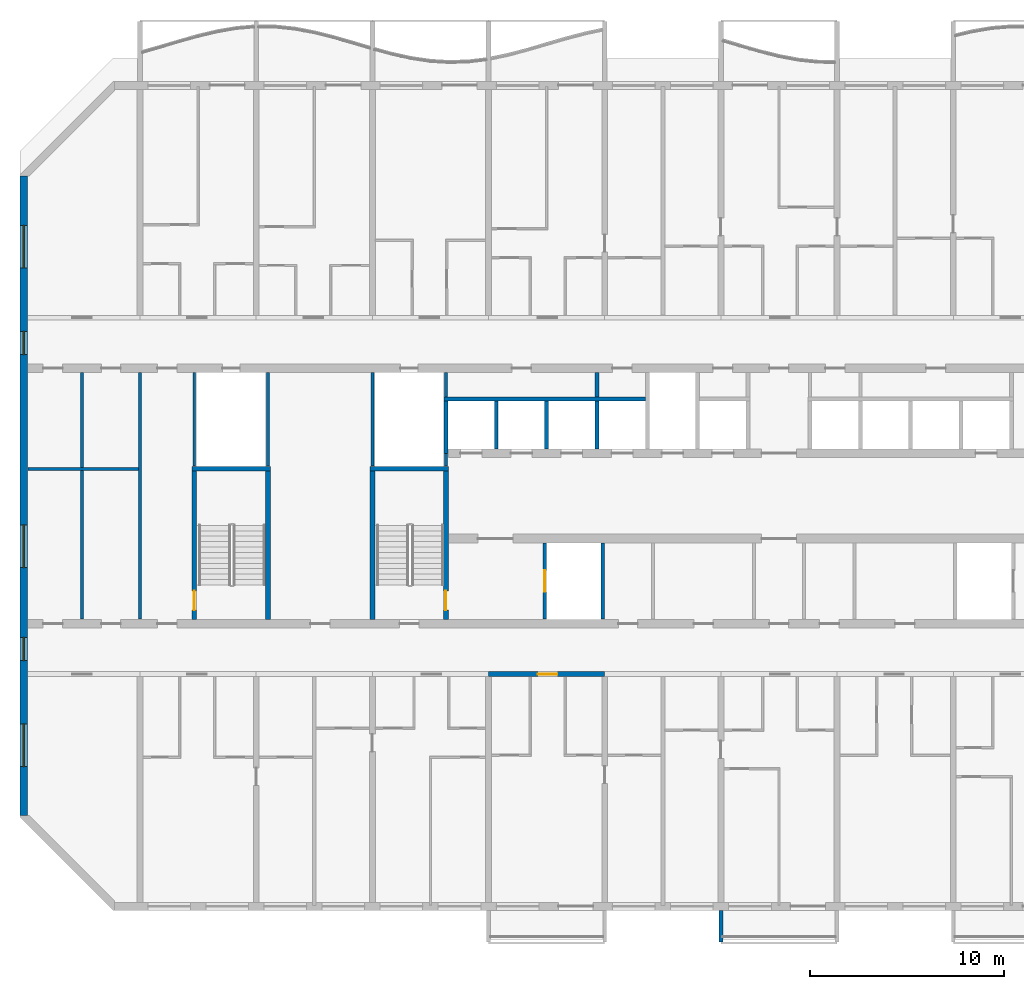
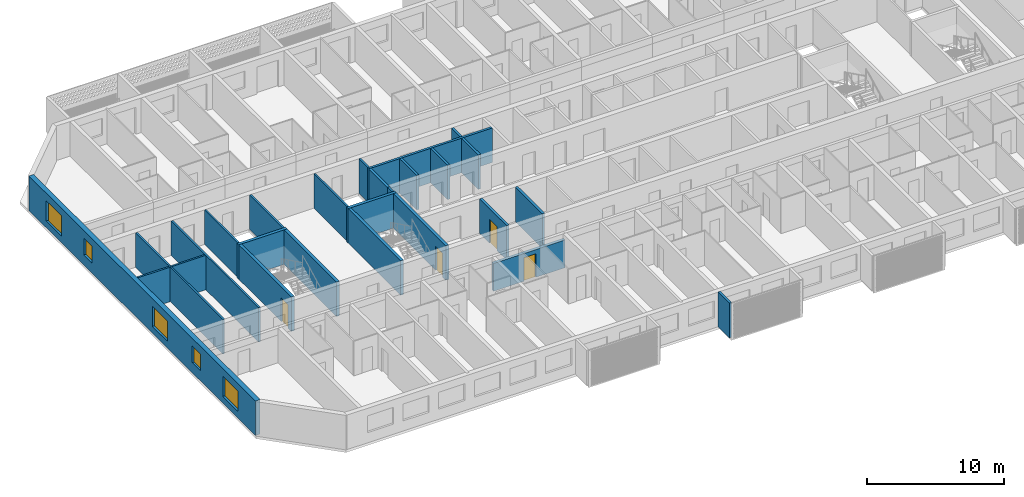
# One storey, part 3 of 32: 25 walls, 5 windows, 4 doors, 9 openings.
"""IFC4 building model written with IfcOpenShell, lengths in metres."""

from ifc_helpers import new_model, si_unit, direction, frame, frame_2d, origin, place, context, subcontext, project, spatial, polyline, rectangle, outline, extrude, source, transform, mapped, material, layer, layer_set, type_object, element, fill, save


model = new_model("IFC4")

# Units and contexts
model_context = context("Model", 3, precision=1e-05, world=origin(), true_north=direction((0.0, 1.0)))
body_context = subcontext(model_context, "Body", "Model", "MODEL_VIEW")
ifc_project = project(units=[si_unit("LENGTHUNIT", "METRE"), si_unit("AREAUNIT", "SQUARE_METRE"), si_unit("VOLUMEUNIT", "CUBIC_METRE"), si_unit("PLANEANGLEUNIT", "RADIAN"), si_unit("MASSUNIT", "GRAM", prefix="KILO")], contexts=[model_context])

# Site, building, storey
site_placement = place(None, origin())
site = spatial("IfcSite", under=ifc_project, at=site_placement, CompositionType="ELEMENT")
building_placement = place(site_placement, origin())
building = spatial("IfcBuilding", under=site, at=building_placement, Name="Poui Terraces", CompositionType="ELEMENT")
storey_placement = place(building_placement, frame((0.0, 0.0, 122.39990234375)))
storey = spatial("IfcBuildingStorey", under=building, at=storey_placement, Name="L33", CompositionType="ELEMENT", Elevation=122.39990234375)

# Wall
ifc_material_1 = material(Name="Fire-rated plasterboard wall")
ifc_layer_1 = layer(ifc_material_1, 0.14990234375)
ifc_layer_set_1 = layer_set([ifc_layer_1], Name="Fire-rated plasterboard wall")
wall_type_1 = type_object("IfcWallType", Name="CORRIDOR WALL 150", PredefinedType="PARTITIONING", material=ifc_layer_set_1)
wall_1_placement = place(storey_placement, frame((18.0, 14.8349609375, 0.0), z_axis=(0.0, 0.0, 1.0), x_axis=(0.0, 1.0, 0.0)))
element("IfcWall", 1, at=wall_1_placement, inside=storey, type_object=wall_type_1, Name="CORRIDOR WALL 150", PredefinedType="PARTITIONING", context=body_context, shape_type="SweptSolid", body=[
    extrude(rectangle(XDim=12.72998046875, YDim=0.14990234375, at=frame_2d((6.364990234375, 0.0))), origin(), (0.0, 0.0, 1.0), 3.070068359375),
])

# Wall, opening, door
ifc_material_2 = material(Name="Concrete 65 MPa", Category="concrete")
ifc_layer_2 = layer(ifc_material_2, 0.25)
ifc_layer_set_2 = layer_set([ifc_layer_2], Name="Concrete 65 MPa")
wall_type_2 = type_object("IfcWallType", Name="CORRIDOR WALL 250 65MPa", PredefinedType="SHEAR", material=ifc_layer_set_2)
wall_2_placement = place(storey_placement, frame((36.0, 12.0, 0.0), z_axis=(0.0, 0.0, 1.0), x_axis=(1.0, 0.0, 0.0)))
wall_2 = element("IfcWall", 2, at=wall_2_placement, inside=storey, type_object=wall_type_2, Name="CORRIDOR WALL LINE B BAY 5", PredefinedType="SHEAR", context=body_context, shape_type="SweptSolid", body=[
    extrude(rectangle(XDim=6.0, YDim=0.25, at=frame_2d((3.0, 0.0))), origin(), (0.0, 0.0, 1.0), 2.47021484375),
])
opening_1_placement = place(wall_2_placement, frame((2.550048828125, 0.0, 0.0)))
opening_1 = element("IfcOpeningElement", 3, at=opening_1_placement, cuts=wall_2, Name="Opening FD30S", PredefinedType="OPENING", context=body_context, shape_type="SweptSolid", body=[
    extrude(rectangle(XDim=1.0, YDim=2.10009765625, at=frame_2d((0.5, 1.050048828125))), frame((0.0, 0.135009765625, 0.0), z_axis=(0.0, -1.0, 0.0), x_axis=(1.0, 0.0, 0.0)), (0.0, 0.0, 1.0), 0.27001953125),
])
ifc_material_3 = material(Name="Steel fire door", Category="steel")
door_type_1 = type_object("IfcDoorType", Name="FLAT ENTRANCE DOOR 1000 X 2100", OperationType="NOTDEFINED", PredefinedType="DOOR", material=ifc_material_3)
door_1_placement = place(opening_1_placement, frame((1.0, 0.0, 0.0), z_axis=(0.0, 0.0, 1.0), x_axis=(-1.0, 0.0, 0.0)))
door_1 = element("IfcDoor", 4, at=door_1_placement, inside=storey, type_object=door_type_1, Name="FLAT ENTRANCE DOOR 092", OperationType="SINGLE_SWING_LEFT", OverallHeight=2.10009765625, OverallWidth=1.0, PredefinedType="DOOR", context=body_context, shape_type="SweptSolid", body=[
    extrude(rectangle(XDim=1.0, YDim=2.10009765625, at=frame_2d((0.5, 1.050048828125))), frame((0.0, 0.02490234375, 0.0), z_axis=(0.0, -1.0, 0.0), x_axis=(1.0, 0.0, 0.0)), (0.0, 0.0, 1.0), 0.050048828125),
])
fill(opening_1, door_1)

# Wall, openings, windows
ifc_layer_3 = layer(ifc_material_2, 0.39990234375)
ifc_layer_set_3 = layer_set([ifc_layer_3], Name="Concrete 65 MPa")
wall_type_3 = type_object("IfcWallType", Name="END WALL 400 65MPa", PredefinedType="SHEAR", material=ifc_layer_set_3)
wall_3_placement = place(storey_placement, frame((12.0, 4.682861328125, 0.0), z_axis=(0.0, 0.0, 1.0), x_axis=(0.0, 1.0, 0.0)))
wall_3 = element("IfcWall", 5, at=wall_3_placement, inside=storey, type_object=wall_type_3, Name="END WALL WEST", PredefinedType="SHEAR", context=body_context, shape_type="SweptSolid", body=[
    extrude(rectangle(XDim=33.034423828125, YDim=0.39990234375, at=frame_2d((16.51708984375, 0.0))), origin(), (0.0, 0.0, 1.0), 3.070068359375),
])
opening_2_placement = place(wall_3_placement, frame((23.817138671875, 0.0, 0.89990234375)))
opening_2 = element("IfcOpeningElement", 6, at=opening_2_placement, cuts=wall_3, Name="Opening W2", PredefinedType="OPENING", context=body_context, shape_type="SweptSolid", body=[
    extrude(rectangle(XDim=1.199951171875, YDim=1.5, at=frame_2d((0.60009765625, 0.75))), frame((0.0, 0.2099609375, 0.0), z_axis=(0.0, -1.0, 0.0), x_axis=(1.0, 0.0, 0.0)), (0.0, 0.0, 1.0), 0.419921875),
])
opening_3_placement = place(wall_3_placement, frame((8.01708984375, 0.0, 0.89990234375)))
opening_3 = element("IfcOpeningElement", 7, at=opening_3_placement, cuts=wall_3, Name="Opening W2", PredefinedType="OPENING", context=body_context, shape_type="SweptSolid", body=[
    extrude(rectangle(XDim=1.199951171875, YDim=1.5, at=frame_2d((0.60009765625, 0.75))), frame((0.0, 0.2099609375, 0.0), z_axis=(0.0, -1.0, 0.0), x_axis=(1.0, 0.0, 0.0)), (0.0, 0.0, 1.0), 0.419921875),
])
opening_4_placement = place(wall_3_placement, frame((28.29345703125, 0.0, 0.60009765625)))
opening_4 = element("IfcOpeningElement", 8, at=opening_4_placement, cuts=wall_3, Name="Opening W3", PredefinedType="OPENING", context=body_context, shape_type="SweptSolid", body=[
    extrude(rectangle(XDim=2.199951171875, YDim=1.800048828125, at=frame_2d((1.10009765625, 0.89990234375))), frame((0.0, 0.2099609375, 0.0), z_axis=(0.0, -1.0, 0.0), x_axis=(1.0, 0.0, 0.0)), (0.0, 0.0, 1.0), 0.419921875),
])
opening_5_placement = place(wall_3_placement, frame((2.541015625, 0.0, 0.60009765625)))
opening_5 = element("IfcOpeningElement", 9, at=opening_5_placement, cuts=wall_3, Name="Opening W3", PredefinedType="OPENING", context=body_context, shape_type="SweptSolid", body=[
    extrude(rectangle(XDim=2.199951171875, YDim=1.800048828125, at=frame_2d((1.10009765625, 0.89990234375))), frame((0.0, 0.2099609375, 0.0), z_axis=(0.0, -1.0, 0.0), x_axis=(1.0, 0.0, 0.0)), (0.0, 0.0, 1.0), 0.419921875),
])
opening_6_placement = place(wall_3_placement, frame((12.817138671875, 0.0, 0.60009765625)))
opening_6 = element("IfcOpeningElement", 10, at=opening_6_placement, cuts=wall_3, Name="Opening W3", PredefinedType="OPENING", context=body_context, shape_type="SweptSolid", body=[
    extrude(rectangle(XDim=2.199951171875, YDim=1.800048828125, at=frame_2d((1.10009765625, 0.89990234375))), frame((0.0, 0.2099609375, 0.0), z_axis=(0.0, -1.0, 0.0), x_axis=(1.0, 0.0, 0.0)), (0.0, 0.0, 1.0), 0.419921875),
])
ifc_material_4 = material(Name="Clear glass in aluminium frame", Category="aluminium")
window_type_1 = type_object("IfcWindowType", Name="WINDOW 1200X1500", PartitioningType="SINGLE_PANEL", PredefinedType="WINDOW", material=ifc_material_4)
window_1_placement = place(opening_2_placement, origin())
window_1 = element("IfcWindow", 11, at=window_1_placement, inside=storey, type_object=window_type_1, Name="W2 WINDOW", OverallHeight=1.5, OverallWidth=1.199951171875, PartitioningType="SINGLE_PANEL", PredefinedType="WINDOW", context=body_context, shape_type="SweptSolid", body=[
    extrude(rectangle(XDim=1.199951171875, YDim=1.5, at=frame_2d((0.60009765625, 0.75))), frame((0.0, 0.030029296875, 0.0), z_axis=(0.0, -1.0, 0.0), x_axis=(1.0, 0.0, 0.0)), (0.0, 0.0, 1.0), 0.06005859375),
])
fill(opening_2, window_1)
window_2_placement = place(opening_3_placement, origin())
window_2 = element("IfcWindow", 12, at=window_2_placement, inside=storey, type_object=window_type_1, Name="W2 WINDOW", OverallHeight=1.5, OverallWidth=1.199951171875, PartitioningType="SINGLE_PANEL", PredefinedType="WINDOW", context=body_context, shape_type="SweptSolid", body=[
    extrude(rectangle(XDim=1.199951171875, YDim=1.5, at=frame_2d((0.60009765625, 0.75))), frame((0.0, 0.030029296875, 0.0), z_axis=(0.0, -1.0, 0.0), x_axis=(1.0, 0.0, 0.0)), (0.0, 0.0, 1.0), 0.06005859375),
])
fill(opening_3, window_2)
window_type_2 = type_object("IfcWindowType", Name="WINDOW 2200X1800", PartitioningType="DOUBLE_PANEL_HORIZONTAL", PredefinedType="WINDOW", material=ifc_material_4)
window_3_placement = place(opening_4_placement, origin())
window_3 = element("IfcWindow", 13, at=window_3_placement, inside=storey, type_object=window_type_2, Name="W3 WINDOW", OverallHeight=1.800048828125, OverallWidth=2.199951171875, PartitioningType="DOUBLE_PANEL_HORIZONTAL", PredefinedType="WINDOW", context=body_context, shape_type="SweptSolid", body=[
    extrude(rectangle(XDim=2.199951171875, YDim=1.800048828125, at=frame_2d((1.10009765625, 0.89990234375))), frame((0.0, 0.030029296875, 0.0), z_axis=(0.0, -1.0, 0.0), x_axis=(1.0, 0.0, 0.0)), (0.0, 0.0, 1.0), 0.06005859375),
])
fill(opening_4, window_3)
window_4_placement = place(opening_5_placement, origin())
window_4 = element("IfcWindow", 14, at=window_4_placement, inside=storey, type_object=window_type_2, Name="W3 WINDOW", OverallHeight=1.800048828125, OverallWidth=2.199951171875, PartitioningType="DOUBLE_PANEL_HORIZONTAL", PredefinedType="WINDOW", context=body_context, shape_type="SweptSolid", body=[
    extrude(rectangle(XDim=2.199951171875, YDim=1.800048828125, at=frame_2d((1.10009765625, 0.89990234375))), frame((0.0, 0.030029296875, 0.0), z_axis=(0.0, -1.0, 0.0), x_axis=(1.0, 0.0, 0.0)), (0.0, 0.0, 1.0), 0.06005859375),
])
fill(opening_5, window_4)
window_5_placement = place(opening_6_placement, origin())
window_5 = element("IfcWindow", 15, at=window_5_placement, inside=storey, type_object=window_type_2, Name="W3 WINDOW", OverallHeight=1.800048828125, OverallWidth=2.199951171875, PartitioningType="DOUBLE_PANEL_HORIZONTAL", PredefinedType="WINDOW", context=body_context, shape_type="SweptSolid", body=[
    extrude(rectangle(XDim=2.199951171875, YDim=1.800048828125, at=frame_2d((1.10009765625, 0.89990234375))), frame((0.0, 0.030029296875, 0.0), z_axis=(0.0, -1.0, 0.0), x_axis=(1.0, 0.0, 0.0)), (0.0, 0.0, 1.0), 0.06005859375),
])
fill(opening_6, window_5)

# Walls
ifc_material_5 = material(Name="Plasterboard partition")
ifc_layer_4 = layer(ifc_material_5, 0.14990234375)
ifc_layer_set_4 = layer_set([ifc_layer_4], Name="Plasterboard partition")
wall_type_4 = type_object("IfcWallType", Name="PARTITION WALL 150", PredefinedType="PARTITIONING", material=ifc_layer_set_4)
wall_4_placement = place(storey_placement, frame((12.2099609375, 22.60009765625, 0.0), z_axis=(0.0, 0.0, 1.0), x_axis=(1.0, 0.0, 0.0)))
element("IfcWall", 16, at=wall_4_placement, inside=storey, type_object=wall_type_4, Name="PARTITION WALL 150", PredefinedType="PARTITIONING", context=body_context, shape_type="SweptSolid", body=[
    extrude(rectangle(XDim=5.715087890625, YDim=0.14990234375, at=frame_2d((2.857421875, 0.0))), origin(), (0.0, 0.0, 1.0), 3.070068359375),
])
wall_5_placement = place(storey_placement, frame((15.0, 14.8349609375, 0.0), z_axis=(0.0, 0.0, 1.0), x_axis=(0.0, 1.0, 0.0)))
element("IfcWall", 17, at=wall_5_placement, inside=storey, type_object=wall_type_4, Name="PARTITION WALL 150", PredefinedType="PARTITIONING", context=body_context, shape_type="SweptSolid", body=[
    extrude(rectangle(XDim=12.72998046875, YDim=0.14990234375, at=frame_2d((6.364990234375, 0.0))), origin(), (0.0, 0.0, 1.0), 3.070068359375),
])
ifc_material_6 = material(Name="Fire-rated masonry wall", Category="masonry")
ifc_layer_5 = layer(ifc_material_6, 0.199951171875)
ifc_layer_set_5 = layer_set([ifc_layer_5], Name="Fire-rated masonry wall")
wall_type_5 = type_object("IfcWallType", Name="PLANT ROOM WALL 200", PredefinedType="PARTITIONING", material=ifc_layer_set_5)
wall_6_placement = place(storey_placement, frame((41.60009765625, 26.300048828125, 0.0), z_axis=(0.0, 0.0, 1.0), x_axis=(0.0, 1.0, 0.0)))
element("IfcWall", 18, at=wall_6_placement, inside=storey, type_object=wall_type_5, Name="PLANT ROOM WALL 200", PredefinedType="PARTITIONING", context=body_context, shape_type="SweptSolid", body=[
    extrude(rectangle(XDim=1.264892578125, YDim=0.199951171875, at=frame_2d((0.63232421875, 0.0))), origin(), (0.0, 0.0, 1.0), 3.070068359375),
])
ifc_material_7 = material(Name="Fire-rated plasterboard riser wall")
ifc_layer_6 = layer(ifc_material_7, 0.14990234375)
ifc_layer_set_6 = layer_set([ifc_layer_6], Name="Fire-rated plasterboard riser wall")
wall_type_6 = type_object("IfcWallType", Name="RISER WALL 150", PredefinedType="PARTITIONING", material=ifc_layer_set_6)
for number, where, z_axis, x_axis, name in (
    (19, (20.800048828125, 22.735107421875, 0.0), (0.0, 0.0, 1.0), (0.0, 1.0, 0.0), "RISER WALL 150"),
    (20, (24.60009765625, 22.735107421875, 0.0), (0.0, 0.0, 1.0), (0.0, 1.0, 0.0), "RISER WALL 150"),
    (21, (30.0, 22.735107421875, 0.0), (0.0, 0.0, 1.0), (0.0, 1.0, 0.0), "RISER WALL 150"),
):
    element("IfcWall", number, at=place(storey_placement, frame(where, z_axis=z_axis, x_axis=x_axis)), inside=storey, type_object=wall_type_6, Name=name, PredefinedType="PARTITIONING", context=body_context, shape_type="SweptSolid", body=[
        extrude(rectangle(XDim=4.829833984375, YDim=0.14990234375, at=frame_2d((2.4150390625, 0.0))), origin(), (0.0, 0.0, 1.0), 3.070068359375),
    ])
wall_7_placement = place(storey_placement, frame((33.800048828125, 22.735107421875, 0.0), z_axis=(0.0, 0.0, 1.0), x_axis=(0.0, 1.0, 0.0)))
element("IfcWall", 22, at=wall_7_placement, inside=storey, type_object=wall_type_6, Name="RISER WALL 150", PredefinedType="PARTITIONING", context=body_context, shape_type="SweptSolid", body=[
    extrude(rectangle(XDim=0.664794921875, YDim=0.14990234375, at=frame_2d((0.33251953125, 0.0))), origin(), (0.0, 0.0, 1.0), 3.070068359375),
])
wall_8_placement = place(storey_placement, frame((33.800048828125, 26.300048828125, 0.0), z_axis=(0.0, 0.0, 1.0), x_axis=(0.0, 1.0, 0.0)))
element("IfcWall", 23, at=wall_8_placement, inside=storey, type_object=wall_type_6, Name="RISER WALL 150", PredefinedType="PARTITIONING", context=body_context, shape_type="SweptSolid", body=[
    extrude(rectangle(XDim=1.264892578125, YDim=0.14990234375, at=frame_2d((0.63232421875, 0.0))), origin(), (0.0, 0.0, 1.0), 3.070068359375),
])
ifc_material_8 = material(Name="Fire-rated masonry shaft wall", Category="masonry")
ifc_layer_7 = layer(ifc_material_8, 0.199951171875)
ifc_layer_set_7 = layer_set([ifc_layer_7], Name="Fire-rated masonry shaft wall")
wall_type_7 = type_object("IfcWallType", Name="SHAFT WALL 200", PredefinedType="PARTITIONING", material=ifc_layer_set_7)
wall_9_placement = place(storey_placement, frame((33.699951171875, 26.199951171875, 0.0), z_axis=(0.0, 0.0, 1.0), x_axis=(1.0, 0.0, 0.0)))
element("IfcWall", 24, at=wall_9_placement, inside=storey, type_object=wall_type_7, Name="SHAFT WALL 200", PredefinedType="PARTITIONING", context=body_context, shape_type="SweptSolid", body=[
    extrude(rectangle(XDim=10.400146484375, YDim=0.199951171875, at=frame_2d((5.2001953125, 0.0))), origin(), (0.0, 0.0, 1.0), 3.070068359375),
])
wall_10_placement = place(storey_placement, frame((33.800048828125, 23.39990234375, 0.0), z_axis=(0.0, 0.0, 1.0), x_axis=(0.0, 1.0, 0.0)))
element("IfcWall", 25, at=wall_10_placement, inside=storey, type_object=wall_type_7, Name="SHAFT WALL 200", PredefinedType="PARTITIONING", context=body_context, shape_type="SweptSolid", body=[
    extrude(rectangle(XDim=2.7001953125, YDim=0.199951171875, at=frame_2d((1.35009765625, 0.0))), origin(), (0.0, 0.0, 1.0), 3.070068359375),
])
wall_11_placement = place(storey_placement, frame((36.39990234375, 23.635009765625, 0.0), z_axis=(0.0, 0.0, 1.0), x_axis=(0.0, 1.0, 0.0)))
element("IfcWall", 26, at=wall_11_placement, inside=storey, type_object=wall_type_7, Name="SHAFT WALL 200", PredefinedType="PARTITIONING", context=body_context, shape_type="SweptSolid", body=[
    extrude(rectangle(XDim=2.465087890625, YDim=0.199951171875, at=frame_2d((1.232421875, 0.0))), origin(), (0.0, 0.0, 1.0), 3.070068359375),
])

# Wall, opening, door
wall_12_placement = place(storey_placement, frame((38.89990234375, 14.8349609375, 0.0), z_axis=(0.0, 0.0, 1.0), x_axis=(0.0, 1.0, 0.0)))
wall_12 = element("IfcWall", 27, at=wall_12_placement, inside=storey, type_object=wall_type_7, Name="SHAFT WALL 200", PredefinedType="PARTITIONING", context=body_context, shape_type="SweptSolid", body=[
    extrude(rectangle(XDim=3.929931640625, YDim=0.199951171875, at=frame_2d((1.96484375, 0.0))), origin(), (0.0, 0.0, 1.0), 3.070068359375),
])
opening_7_placement = place(wall_12_placement, frame((1.4150390625, 0.0, 0.0)))
opening_7 = element("IfcOpeningElement", 28, at=opening_7_placement, cuts=wall_12, Name="Opening LD", PredefinedType="OPENING", context=body_context, shape_type="SweptSolid", body=[
    extrude(rectangle(XDim=1.10009765625, YDim=2.10009765625, at=frame_2d((0.550048828125, 1.050048828125))), frame((0.0, 0.10986328125, 0.0), z_axis=(0.0, -1.0, 0.0), x_axis=(1.0, 0.0, 0.0)), (0.0, 0.0, 1.0), 0.219970703125),
])
ifc_material_9 = material(Name="Stainless steel sliding door", Category="steel")
door_type_2 = type_object("IfcDoorType", Name="LIFT LANDING DOOR 1100 X 2100", OperationType="DOUBLE_DOOR_SLIDING", PredefinedType="DOOR", material=ifc_material_9)
door_2_placement = place(opening_7_placement, origin())
door_2 = element("IfcDoor", 29, at=door_2_placement, inside=storey, type_object=door_type_2, Name="LANDING DOOR", OperationType="DOUBLE_DOOR_SLIDING", OverallHeight=2.10009765625, OverallWidth=1.10009765625, PredefinedType="DOOR", context=body_context, shape_type="SweptSolid", body=[
    extrude(rectangle(XDim=1.10009765625, YDim=2.10009765625, at=frame_2d((0.550048828125, 1.050048828125))), frame((0.0, 0.02490234375, 0.0), z_axis=(0.0, -1.0, 0.0), x_axis=(1.0, 0.0, 0.0)), (0.0, 0.0, 1.0), 0.050048828125),
])
fill(opening_7, door_2)

# Walls
for number, where, z_axis, x_axis, name in (
    (30, (39.0, 23.635009765625, 0.0), (0.0, 0.0, 1.0), (0.0, 1.0, 0.0), "SHAFT WALL 200"),
    (31, (41.60009765625, 23.635009765625, 0.0), (0.0, 0.0, 1.0), (0.0, 1.0, 0.0), "SHAFT WALL 200"),
):
    element("IfcWall", number, at=place(storey_placement, frame(where, z_axis=z_axis, x_axis=x_axis)), inside=storey, type_object=wall_type_7, Name=name, PredefinedType="PARTITIONING", context=body_context, shape_type="SweptSolid", body=[
        extrude(rectangle(XDim=2.465087890625, YDim=0.199951171875, at=frame_2d((1.232421875, 0.0))), origin(), (0.0, 0.0, 1.0), 3.070068359375),
    ])
wall_13_placement = place(storey_placement, frame((41.89990234375, 14.8349609375, 0.0), z_axis=(0.0, 0.0, 1.0), x_axis=(0.0, 1.0, 0.0)))
element("IfcWall", 32, at=wall_13_placement, inside=storey, type_object=wall_type_7, Name="SHAFT WALL 200", PredefinedType="PARTITIONING", context=body_context, shape_type="SweptSolid", body=[
    extrude(rectangle(XDim=3.929931640625, YDim=0.199951171875, at=frame_2d((1.96484375, 0.0))), origin(), (0.0, 0.0, 1.0), 3.070068359375),
])
ifc_layer_8 = layer(ifc_material_2, 0.25)
ifc_layer_set_8 = layer_set([ifc_layer_8], Name="Concrete 65 MPa")
wall_type_8 = type_object("IfcWallType", Name="STAIR CORE WALL 250 65 MPA", PredefinedType="SOLIDWALL", material=ifc_layer_set_8)
wall_14_placement = place(storey_placement, frame((30.0, 14.824951171875, 0.0), z_axis=(0.0, 0.0, 1.0), x_axis=(0.0, 1.0, 0.0)))
element("IfcWall", 33, at=wall_14_placement, inside=storey, type_object=wall_type_8, Name="STAIR CORE WALL", PredefinedType="SOLIDWALL", context=body_context, shape_type="SweptSolid", body=[
    extrude(rectangle(XDim=7.650146484375, YDim=0.25, at=frame_2d((3.8251953125, 0.0))), origin(), (0.0, 0.0, 1.0), 3.070068359375),
])

# Wall, opening, door
wall_15_placement = place(storey_placement, frame((33.800048828125, 14.824951171875, 0.0), z_axis=(0.0, 0.0, 1.0), x_axis=(0.0, 1.0, 0.0)))
wall_15 = element("IfcWall", 34, at=wall_15_placement, inside=storey, type_object=wall_type_8, Name="STAIR CORE WALL", PredefinedType="SOLIDWALL", context=body_context, shape_type="SweptSolid", body=[
    extrude(rectangle(XDim=7.650146484375, YDim=0.25, at=frame_2d((3.8251953125, 0.0))), origin(), (0.0, 0.0, 1.0), 3.070068359375),
])
opening_8_placement = place(wall_15_placement, frame((0.47509765625, 0.0, 0.0)))
opening_8 = element("IfcOpeningElement", 35, at=opening_8_placement, cuts=wall_15, Name="Opening FD60S", PredefinedType="OPENING", context=body_context, shape_type="SweptSolid", body=[
    extrude(rectangle(XDim=1.0, YDim=2.10009765625, at=frame_2d((0.5, 1.050048828125))), frame((0.0, 0.135009765625, 0.0), z_axis=(0.0, -1.0, 0.0), x_axis=(1.0, 0.0, 0.0)), (0.0, 0.0, 1.0), 0.27001953125),
])
door_type_3 = type_object("IfcDoorType", Name="STAIR DOOR 1000 X 2100", OperationType="NOTDEFINED", PredefinedType="DOOR", material=ifc_material_3)
door_3_placement = place(opening_8_placement, origin())
door_3 = element("IfcDoor", 36, at=door_3_placement, inside=storey, type_object=door_type_3, Name="STAIR DOOR 123", OperationType="SINGLE_SWING_LEFT", OverallHeight=2.10009765625, OverallWidth=1.0, PredefinedType="DOOR", context=body_context, shape_type="SweptSolid", body=[
    extrude(rectangle(XDim=1.0, YDim=2.10009765625, at=frame_2d((0.5, 1.050048828125))), frame((0.0, 0.02490234375, 0.0), z_axis=(0.0, -1.0, 0.0), x_axis=(1.0, 0.0, 0.0)), (0.0, 0.0, 1.0), 0.050048828125),
])
fill(opening_8, door_3)

# Wall
wall_16_placement = place(storey_placement, frame((29.875, 22.60009765625, 0.0), z_axis=(0.0, 0.0, 1.0), x_axis=(1.0, 0.0, 0.0)))
element("IfcWall", 37, at=wall_16_placement, inside=storey, type_object=wall_type_8, Name="STAIR CORE WALL", PredefinedType="SOLIDWALL", context=body_context, shape_type="SweptSolid", body=[
    extrude(rectangle(XDim=4.050048828125, YDim=0.25, at=frame_2d((2.02490234375, 0.0))), origin(), (0.0, 0.0, 1.0), 3.070068359375),
])

# Wall, opening, door
wall_17_placement = place(storey_placement, frame((20.800048828125, 14.824951171875, 0.0), z_axis=(0.0, 0.0, 1.0), x_axis=(0.0, 1.0, 0.0)))
wall_17 = element("IfcWall", 38, at=wall_17_placement, inside=storey, type_object=wall_type_8, Name="STAIR CORE WALL", PredefinedType="SOLIDWALL", context=body_context, shape_type="SweptSolid", body=[
    extrude(rectangle(XDim=7.650146484375, YDim=0.25, at=frame_2d((3.8251953125, 0.0))), origin(), (0.0, 0.0, 1.0), 3.070068359375),
])
opening_9_placement = place(wall_17_placement, frame((0.47509765625, 0.0, 0.0)))
opening_9 = element("IfcOpeningElement", 39, at=opening_9_placement, cuts=wall_17, Name="Opening FD60S", PredefinedType="OPENING", context=body_context, shape_type="SweptSolid", body=[
    extrude(rectangle(XDim=1.0, YDim=2.10009765625, at=frame_2d((0.5, 1.050048828125))), frame((0.0, 0.135009765625, 0.0), z_axis=(0.0, -1.0, 0.0), x_axis=(1.0, 0.0, 0.0)), (0.0, 0.0, 1.0), 0.27001953125),
])
door_4_placement = place(opening_9_placement, frame((1.0, 0.0, 0.0), z_axis=(0.0, 0.0, 1.0), x_axis=(-1.0, 0.0, 0.0)))
door_4 = element("IfcDoor", 40, at=door_4_placement, inside=storey, type_object=door_type_3, Name="STAIR DOOR 137", OperationType="SINGLE_SWING_RIGHT", OverallHeight=2.10009765625, OverallWidth=1.0, PredefinedType="DOOR", context=body_context, shape_type="SweptSolid", body=[
    extrude(rectangle(XDim=1.0, YDim=2.10009765625, at=frame_2d((0.5, 1.050048828125))), frame((0.0, 0.02490234375, 0.0), z_axis=(0.0, -1.0, 0.0), x_axis=(1.0, 0.0, 0.0)), (0.0, 0.0, 1.0), 0.050048828125),
])
fill(opening_9, door_4)

# Walls
wall_18_placement = place(storey_placement, frame((24.60009765625, 14.824951171875, 0.0), z_axis=(0.0, 0.0, 1.0), x_axis=(0.0, 1.0, 0.0)))
element("IfcWall", 41, at=wall_18_placement, inside=storey, type_object=wall_type_8, Name="STAIR CORE WALL", PredefinedType="SOLIDWALL", context=body_context, shape_type="SweptSolid", body=[
    extrude(rectangle(XDim=7.650146484375, YDim=0.25, at=frame_2d((3.8251953125, 0.0))), origin(), (0.0, 0.0, 1.0), 3.070068359375),
])
wall_19_placement = place(storey_placement, frame((20.675048828125, 22.60009765625, 0.0), z_axis=(0.0, 0.0, 1.0), x_axis=(1.0, 0.0, 0.0)))
element("IfcWall", 42, at=wall_19_placement, inside=storey, type_object=wall_type_8, Name="STAIR CORE WALL", PredefinedType="SOLIDWALL", context=body_context, shape_type="SweptSolid", body=[
    extrude(rectangle(XDim=4.050048828125, YDim=0.25, at=frame_2d((2.02490234375, 0.0))), origin(), (0.0, 0.0, 1.0), 3.070068359375),
])
ifc_material_10 = material(Name="Precast concrete 40 MPa", Category="concrete")
ifc_layer_9 = layer(ifc_material_10, 0.199951171875)
ifc_layer_set_9 = layer_set([ifc_layer_9], Name="Precast concrete 40 MPa")
wall_type_9 = type_object("IfcWallType", Name="REAR FIN 200", PredefinedType="STANDARD", material=ifc_layer_set_9)
shared_shape = source(origin(), body_context, "Body", "SweptSolid", [
    extrude(outline(polyline([(0.0, 0.0), (0.2001953125, 0.0), (0.2001953125, 1.650146484375), (0.0, 1.650146484375), (0.0, 0.0)])), origin(), (0.0, 0.0, 1.0), 3.10009765625),
])
wall_20_placement = place(storey_placement, frame((47.89990234375, -1.85009765625, 0.0)))
element("IfcWall", 43, at=wall_20_placement, inside=storey, type_object=wall_type_9, Name="REAR FIN", PredefinedType="STANDARD", context=body_context, shape_type="MappedRepresentation", body=[
    mapped(shared_shape, transform((0.0, 0.0, 0.0))),
])

save(model, "model.ifc")
